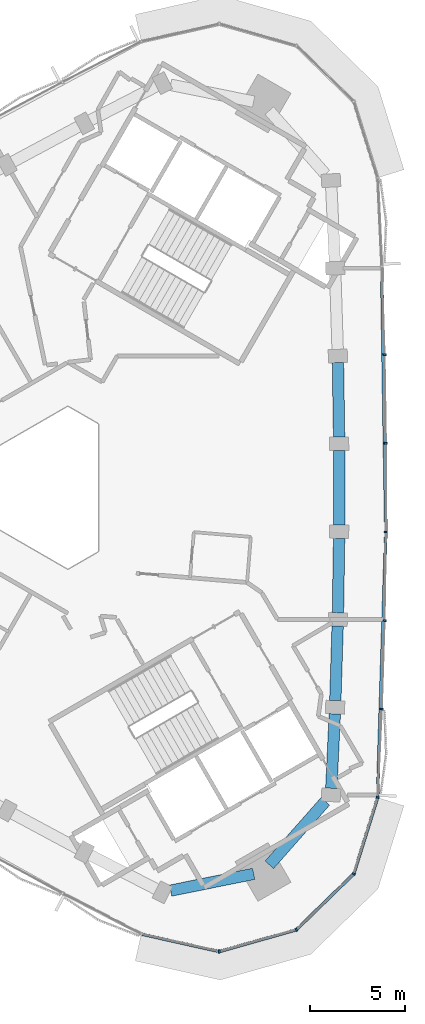
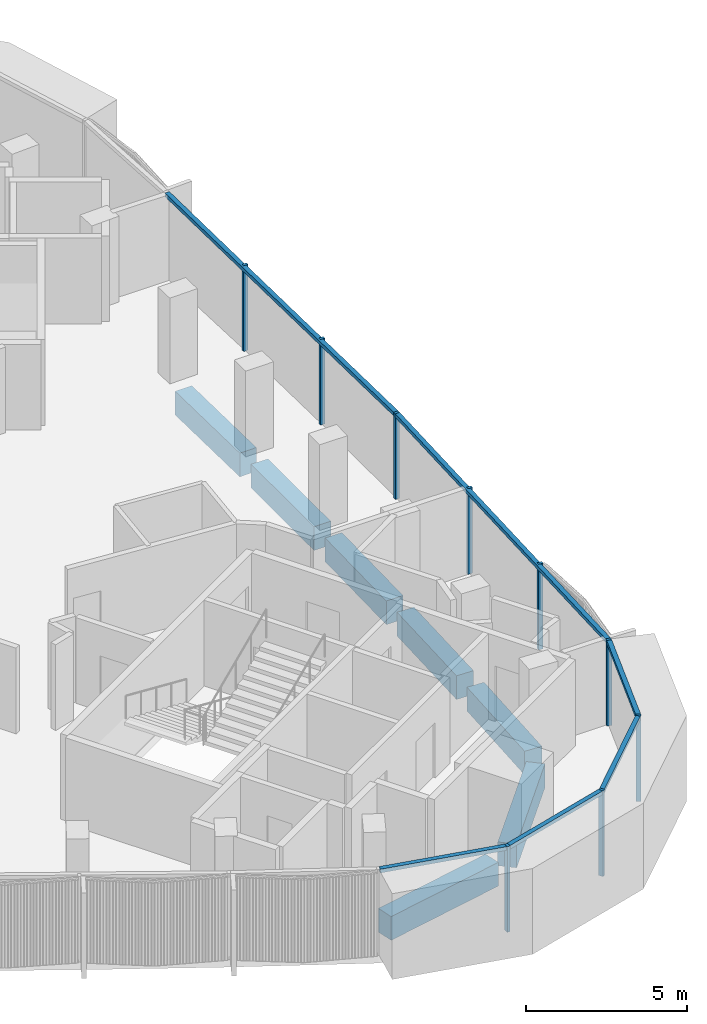
# One storey, part 3 of 12: 15 members, 7 beams, 2 elements without a shape of their own.
"""IFC4 building model written with IfcOpenShell, lengths in metres."""

from ifc_helpers import new_model, si_unit, direction, frame, origin, origin_2d, place, context, subcontext, project, spatial, rectangle, extrude, material, material_profile, profile_set, type_object, element, aggregate, save


model = new_model("IFC4")

# Units and contexts
model_context = context("Model", 3, precision=1e-05, world=origin(), true_north=direction((0.0, 1.0)))
body_context = subcontext(model_context, "Body", "Model", "MODEL_VIEW")
ifc_project = project(units=[si_unit("LENGTHUNIT", "METRE"), si_unit("AREAUNIT", "SQUARE_METRE"), si_unit("VOLUMEUNIT", "CUBIC_METRE"), si_unit("PLANEANGLEUNIT", "RADIAN"), si_unit("MASSUNIT", "GRAM", prefix="KILO")], contexts=[model_context])

# Site, building, storey
site_placement = place(None, origin())
site = spatial("IfcSite", under=ifc_project, at=site_placement, CompositionType="ELEMENT")
building_placement = place(site_placement, origin())
building = spatial("IfcBuilding", under=site, at=building_placement, Name="Tamra Quay Hotel Tower", CompositionType="ELEMENT")
storey_placement = place(building_placement, frame((0.0, 0.0, 280.199951171875)))
storey = spatial("IfcBuildingStorey", under=building, at=storey_placement, Name="L71", CompositionType="ELEMENT", Elevation=280.199951171875)

# Curtain wall, members
ifc_material_1 = material(Name="Aluminium 6063 anodised dark grey", Category="aluminium")
curtain_wall_type_1 = type_object("IfcCurtainWallType", Name="CW1 CURTAIN WALL", PredefinedType="NOTDEFINED", material=ifc_material_1)
curtain_wall_1_placement = place(storey_placement, origin())
curtain_wall_1 = element("IfcCurtainWall", 1, at=curtain_wall_1_placement, inside=storey, type_object=curtain_wall_type_1, Name="CW1 east face L71", PredefinedType="NOTDEFINED")
ifc_material_profile_1 = material_profile(ifc_material_1, rectangle(XDim=0.159912109375, YDim=0.10009765625, at=origin_2d()), Name="MULLION 100X160")
ifc_profile_set_1 = profile_set([ifc_material_profile_1], Name="Aluminium 6063 anodised dark grey")
member_type_1 = type_object("IfcMemberType", Name="MULLION CW1 Z6", PredefinedType="MULLION", material=ifc_profile_set_1)
member_1_placement = place(storey_placement, frame((17.648681640625, -16.25146484375, 0.0), z_axis=(0.0, 0.0, 1.0), x_axis=(0.984739923452, -0.174032419852, 0.0)))
member_1 = element("IfcMember", 2, at=member_1_placement, type_object=member_type_1, Name="CW1 mullion L71.E.1", PredefinedType="MULLION", context=body_context, shape_type="SweptSolid", body=[
    extrude(rectangle(XDim=0.159912109375, YDim=0.10009765625, at=origin_2d()), origin(), (0.0, 0.0, 1.0), 3.25),
])
member_2_placement = place(storey_placement, frame((17.866455078125, -11.60986328125, 0.0), z_axis=(0.0, 0.0, 1.0), x_axis=(0.999237934682, -0.039032677233, 0.0)))
member_2 = element("IfcMember", 3, at=member_2_placement, type_object=member_type_1, Name="CW1 mullion L71.E.2", PredefinedType="MULLION", context=body_context, shape_type="SweptSolid", body=[
    extrude(rectangle(XDim=0.159912109375, YDim=0.10009765625, at=origin_2d()), origin(), (0.0, 0.0, 1.0), 3.25),
])
member_3_placement = place(storey_placement, frame((18.011474609375, -6.96826171875, 0.0), z_axis=(0.0, 0.0, 1.0), x_axis=(0.999725291112, -0.023438052626, 0.0)))
member_3 = element("IfcMember", 4, at=member_3_placement, type_object=member_type_1, Name="CW1 mullion L71.E.3", PredefinedType="MULLION", context=body_context, shape_type="SweptSolid", body=[
    extrude(rectangle(XDim=0.159912109375, YDim=0.10009765625, at=origin_2d()), origin(), (0.0, 0.0, 1.0), 3.25),
])
member_4_placement = place(storey_placement, frame((18.083984375, -2.322998046875, 0.0), z_axis=(0.0, 0.0, 1.0), x_axis=(0.999969449151, -0.007816697755, 0.0)))
member_4 = element("IfcMember", 5, at=member_4_placement, type_object=member_type_1, Name="CW1 mullion L71.E.4", PredefinedType="MULLION", context=body_context, shape_type="SweptSolid", body=[
    extrude(rectangle(XDim=0.159912109375, YDim=0.10009765625, at=origin_2d()), origin(), (0.0, 0.0, 1.0), 3.25),
])
member_5_placement = place(storey_placement, frame((18.083984375, 2.322998046875, 0.0), z_axis=(0.0, 0.0, 1.0), x_axis=(0.999969449151, 0.007816697755, 0.0)))
member_5 = element("IfcMember", 6, at=member_5_placement, type_object=member_type_1, Name="CW1 mullion L71.E.5", PredefinedType="MULLION", context=body_context, shape_type="SweptSolid", body=[
    extrude(rectangle(XDim=0.159912109375, YDim=0.10009765625, at=origin_2d()), origin(), (0.0, 0.0, 1.0), 3.25),
])
member_6_placement = place(storey_placement, frame((18.011474609375, 6.96826171875, 0.0), z_axis=(0.0, 0.0, 1.0), x_axis=(0.999725291112, 0.023438052626, 0.0)))
member_6 = element("IfcMember", 7, at=member_6_placement, type_object=member_type_1, Name="CW1 mullion L71.E.6", PredefinedType="MULLION", context=body_context, shape_type="SweptSolid", body=[
    extrude(rectangle(XDim=0.159912109375, YDim=0.10009765625, at=origin_2d()), origin(), (0.0, 0.0, 1.0), 3.25),
])

curtain_wall_type_2 = type_object("IfcCurtainWallType", Name="CW3 CURTAIN WALL", PredefinedType="NOTDEFINED", material=ifc_material_1)
curtain_wall_2_placement = place(storey_placement, origin())
curtain_wall_2 = element("IfcCurtainWall", 8, at=curtain_wall_2_placement, inside=storey, type_object=curtain_wall_type_2, Name="CW3 south-west face L71", PredefinedType="NOTDEFINED")
ifc_material_profile_2 = material_profile(ifc_material_1, rectangle(XDim=0.159912109375, YDim=0.10009765625, at=origin_2d()), Name="MULLION 100X160")
ifc_profile_set_2 = profile_set([ifc_material_profile_2], Name="Aluminium 6063 anodised dark grey")
member_type_2 = type_object("IfcMemberType", Name="MULLION CW3 Z6", PredefinedType="MULLION", material=ifc_profile_set_2)
member_7_placement = place(storey_placement, frame((9.346435546875, -24.32861328125, 0.0), z_axis=(0.0, 0.0, 1.0), x_axis=(0.027468865497, -0.999622659521, 0.0)))
member_7 = element("IfcMember", 9, at=member_7_placement, type_object=member_type_2, Name="CW3 mullion L71.SW.9", PredefinedType="MULLION", context=body_context, shape_type="SweptSolid", body=[
    extrude(rectangle(XDim=0.159912109375, YDim=0.10009765625, at=origin_2d()), origin(), (0.0, 0.0, 1.0), 3.25),
])
member_8_placement = place(storey_placement, frame((13.38671875, -23.1865234375, 0.0), z_axis=(0.0, 0.0, 1.0), x_axis=(0.5, -0.866025403784, 0.0)))
member_8 = element("IfcMember", 10, at=member_8_placement, type_object=member_type_2, Name="CW3 mullion L71.SW.10", PredefinedType="MULLION", context=body_context, shape_type="SweptSolid", body=[
    extrude(rectangle(XDim=0.159912109375, YDim=0.10009765625, at=origin_2d()), origin(), (0.0, 0.0, 1.0), 3.25),
])
member_9_placement = place(storey_placement, frame((16.39599609375, -20.2587890625, 0.0), z_axis=(0.0, 0.0, 1.0), x_axis=(0.851964184595, -0.523600065094, 0.0)))
member_9 = element("IfcMember", 11, at=member_9_placement, type_object=member_type_2, Name="CW3 mullion L71.SW.11", PredefinedType="MULLION", context=body_context, shape_type="SweptSolid", body=[
    extrude(rectangle(XDim=0.159912109375, YDim=0.10009765625, at=origin_2d()), origin(), (0.0, 0.0, 1.0), 3.25),
])

# Beams
ifc_material_2 = material(Name="Concrete M60", Category="concrete")
ifc_material_profile_3 = material_profile(ifc_material_2, rectangle(XDim=0.60009765625, YDim=0.89990234375, at=origin_2d()), Name="SPANDREL BEAM RC 600x900")
ifc_profile_set_3 = profile_set([ifc_material_profile_3], Name="Concrete M60")
beam_type = type_object("IfcBeamType", Name="SPANDREL BEAM RC 600x900", PredefinedType="SPANDREL", material=ifc_profile_set_3)
beam_1_placement = place(storey_placement, frame((15.218994140625, -15.767333984375, -0.800048828125), z_axis=(0.04680507522, 0.998904041905, 0.0), x_axis=(-0.998904041905, 0.04680507522, 0.0)))
element("IfcBeam", 12, at=beam_1_placement, inside=storey, type_object=beam_type, Name="BM-SP6-000-L71", PredefinedType="SPANDREL", context=body_context, shape_type="SweptSolid", body=[
    extrude(rectangle(XDim=0.60009765625, YDim=0.89990234375, at=origin_2d()), origin(), (0.0, 0.0, 1.0), 3.906982421875),
])
beam_2_placement = place(storey_placement, frame((15.42919921875, -11.165283203125, -0.800048828125), z_axis=(0.031240604276, 0.999511893198, 0.0), x_axis=(-0.999511893198, 0.031240604276, 0.0)))
element("IfcBeam", 13, at=beam_2_placement, inside=storey, type_object=beam_type, Name="BM-SP6-001-L71", PredefinedType="SPANDREL", context=body_context, shape_type="SweptSolid", body=[
    extrude(rectangle(XDim=0.60009765625, YDim=0.89990234375, at=origin_2d()), origin(), (0.0, 0.0, 1.0), 3.907470703125),
])
beam_3_placement = place(storey_placement, frame((15.567626953125, -6.559814453125, -0.800048828125), z_axis=(0.015623093001, 0.999877952035, 0.0), x_axis=(-0.999877952035, 0.015623093001, 0.0)))
element("IfcBeam", 14, at=beam_3_placement, inside=storey, type_object=beam_type, Name="BM-SP6-002-L71", PredefinedType="SPANDREL", context=body_context, shape_type="SweptSolid", body=[
    extrude(rectangle(XDim=0.60009765625, YDim=0.89990234375, at=origin_2d()), origin(), (0.0, 0.0, 1.0), 3.90673828125),
])
beam_4_placement = place(storey_placement, frame((15.634033203125, -1.95361328125, -0.800048828125), z_axis=(0.0, 1.0, 0.0), x_axis=(-1.0, 0.0, 0.0)))
element("IfcBeam", 15, at=beam_4_placement, inside=storey, type_object=beam_type, Name="BM-SP6-003-L71", PredefinedType="SPANDREL", context=body_context, shape_type="SweptSolid", body=[
    extrude(rectangle(XDim=0.60009765625, YDim=0.89990234375, at=origin_2d()), origin(), (0.0, 0.0, 1.0), 3.9072265625),
])
beam_5_placement = place(storey_placement, frame((15.628662109375, 2.653564453125, -0.800048828125), z_axis=(-0.015623093001, 0.999877952035, 0.0), x_axis=(-0.999877952035, -0.015623093001, 0.0)))
element("IfcBeam", 16, at=beam_5_placement, inside=storey, type_object=beam_type, Name="BM-SP6-004-L71", PredefinedType="SPANDREL", context=body_context, shape_type="SweptSolid", body=[
    extrude(rectangle(XDim=0.60009765625, YDim=0.89990234375, at=origin_2d()), origin(), (0.0, 0.0, 1.0), 3.90673828125),
])
beam_6_placement = place(storey_placement, frame((6.79345703125, -21.1357421875, -0.800048828125), z_axis=(0.980114952618, 0.198430541133, 0.0), x_axis=(-0.198430541133, 0.980114952618, 0.0)))
element("IfcBeam", 17, at=beam_6_placement, inside=storey, type_object=beam_type, Name="BM-SP6-025-L71", PredefinedType="SPANDREL", context=body_context, shape_type="SweptSolid", body=[
    extrude(rectangle(XDim=0.60009765625, YDim=0.89990234375, at=origin_2d()), origin(), (0.0, 0.0, 1.0), 4.441650390625),
])
beam_7_placement = place(storey_placement, frame((11.96728515625, -19.781005859375, -0.800048828125), z_axis=(0.661856103448, 0.749630908066, 0.0), x_axis=(-0.749630908066, 0.661856103448, 0.0)))
element("IfcBeam", 18, at=beam_7_placement, inside=storey, type_object=beam_type, Name="BM-SP6-026-L71", PredefinedType="SPANDREL", context=body_context, shape_type="SweptSolid", body=[
    extrude(rectangle(XDim=0.60009765625, YDim=0.89990234375, at=origin_2d()), origin(), (0.0, 0.0, 1.0), 4.44189453125),
])

# Member
ifc_material_profile_4 = material_profile(ifc_material_1, rectangle(XDim=0.159912109375, YDim=0.139892578125, at=origin_2d()), Name="TRANSOM 160X140")
ifc_profile_set_4 = profile_set([ifc_material_profile_4], Name="Aluminium 6063 anodised dark grey")
member_type_3 = type_object("IfcMemberType", Name="TRANSOM CW1 Z6", PredefinedType="USERDEFINED", material=ifc_profile_set_4)
member_10_placement = place(storey_placement, frame((17.651123046875, -16.201416015625, 3.179931640625), z_axis=(0.031233650571, 0.999512110518, 0.0), x_axis=(-0.999512110518, 0.031233650571, 0.0)))
member_10 = element("IfcMember", 19, at=member_10_placement, type_object=member_type_3, Name="CW1 transom L71.E.1", ObjectType="TRANSOM", PredefinedType="USERDEFINED", context=body_context, shape_type="SweptSolid", body=[
    extrude(rectangle(XDim=0.159912109375, YDim=0.139892578125, at=origin_2d()), origin(), (0.0, 0.0, 1.0), 13.83544921875),
])

member_11_placement = place(storey_placement, frame((18.083984375, -2.27294921875, 3.179931640625), z_axis=(-0.015617579664, 0.999878038165, 0.0), x_axis=(-0.999878038165, -0.015617579664, 0.0)))
member_11 = element("IfcMember", 20, at=member_11_placement, type_object=member_type_3, Name="CW1 transom L71.E.4", ObjectType="TRANSOM", PredefinedType="USERDEFINED", context=body_context, shape_type="SweptSolid", body=[
    extrude(rectangle(XDim=0.159912109375, YDim=0.139892578125, at=origin_2d()), origin(), (0.0, 0.0, 1.0), 13.834716796875),
])

aggregate(curtain_wall_1, [member_1, member_10, member_2, member_3, member_4, member_11, member_5, member_6])

ifc_material_profile_5 = material_profile(ifc_material_1, rectangle(XDim=0.159912109375, YDim=0.139892578125, at=origin_2d()), Name="TRANSOM 160X140")
ifc_profile_set_5 = profile_set([ifc_material_profile_5], Name="Aluminium 6063 anodised dark grey")
member_type_4 = type_object("IfcMemberType", Name="TRANSOM CW3 Z6", PredefinedType="USERDEFINED", material=ifc_profile_set_5)
member_12_placement = place(storey_placement, frame((5.298583984375, -23.4208984375, 3.179931640625), z_axis=(0.975771819949, -0.21879066569, 0.0), x_axis=(0.21879066569, 0.975771819949, 0.0)))
member_12 = element("IfcMember", 21, at=member_12_placement, type_object=member_type_4, Name="CW3 transom L71.SW.8", ObjectType="TRANSOM", PredefinedType="USERDEFINED", context=body_context, shape_type="SweptSolid", body=[
    extrude(rectangle(XDim=0.159912109375, YDim=0.139892578125, at=origin_2d()), origin(), (0.0, 0.0, 1.0), 4.0986328125),
])

member_13_placement = place(storey_placement, frame((9.394775390625, -24.315185546875, 3.179931640625), z_axis=(0.962266689751, 0.272108099467, 0.0), x_axis=(-0.272108099467, 0.962266689751, 0.0)))
member_13 = element("IfcMember", 22, at=member_13_placement, type_object=member_type_4, Name="CW3 transom L71.SW.9", ObjectType="TRANSOM", PredefinedType="USERDEFINED", context=body_context, shape_type="SweptSolid", body=[
    extrude(rectangle(XDim=0.159912109375, YDim=0.139892578125, at=origin_2d()), origin(), (0.0, 0.0, 1.0), 4.098388671875),
])

member_14_placement = place(storey_placement, frame((13.422607421875, -23.151611328125, 3.179931640625), z_axis=(0.716720298204, 0.697360748926, 0.0), x_axis=(-0.697360748926, 0.716720298204, 0.0)))
member_14 = element("IfcMember", 23, at=member_14_placement, type_object=member_type_4, Name="CW3 transom L71.SW.10", ObjectType="TRANSOM", PredefinedType="USERDEFINED", context=body_context, shape_type="SweptSolid", body=[
    extrude(rectangle(XDim=0.159912109375, YDim=0.139892578125, at=origin_2d()), origin(), (0.0, 0.0, 1.0), 4.0986328125),
])

member_15_placement = place(storey_placement, frame((16.410888671875, -20.2109375, 3.179931640625), z_axis=(0.298373352037, 0.954449235315, 0.0), x_axis=(-0.954449235315, 0.298373352037, 0.0)))
member_15 = element("IfcMember", 24, at=member_15_placement, type_object=member_type_4, Name="CW3 transom L71.SW.11", ObjectType="TRANSOM", PredefinedType="USERDEFINED", context=body_context, shape_type="SweptSolid", body=[
    extrude(rectangle(XDim=0.159912109375, YDim=0.139892578125, at=origin_2d()), origin(), (0.0, 0.0, 1.0), 4.0986328125),
])

aggregate(curtain_wall_2, [member_12, member_7, member_13, member_8, member_14, member_9, member_15])

save(model, "model.ifc")
